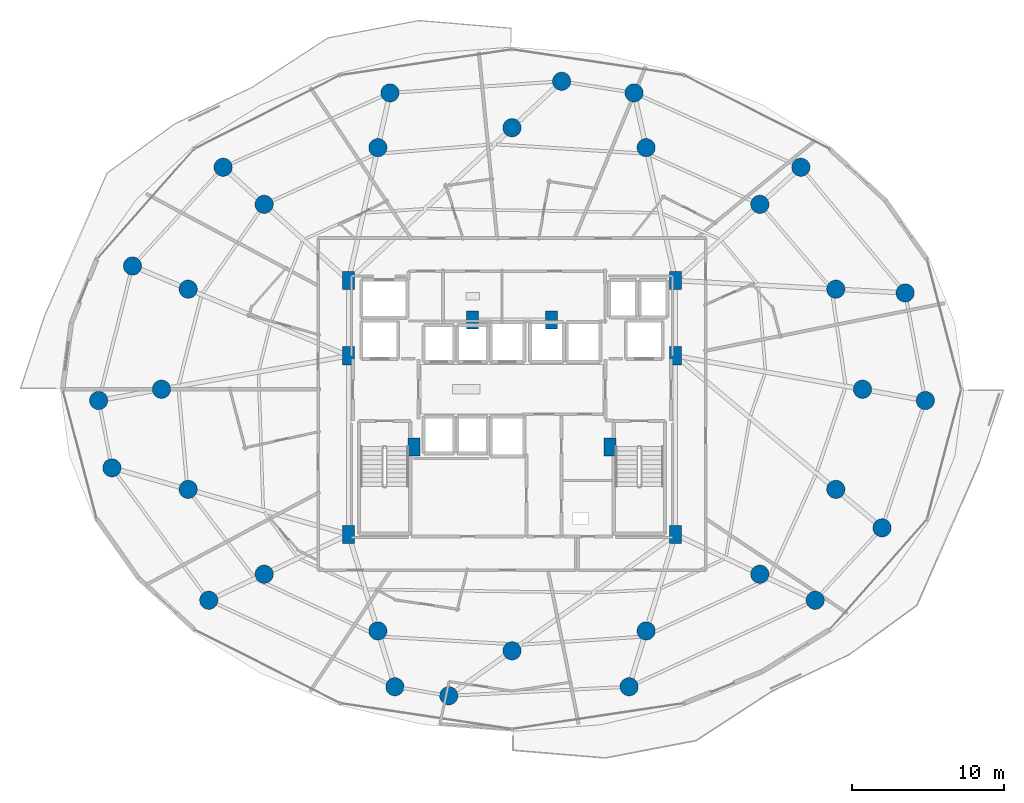
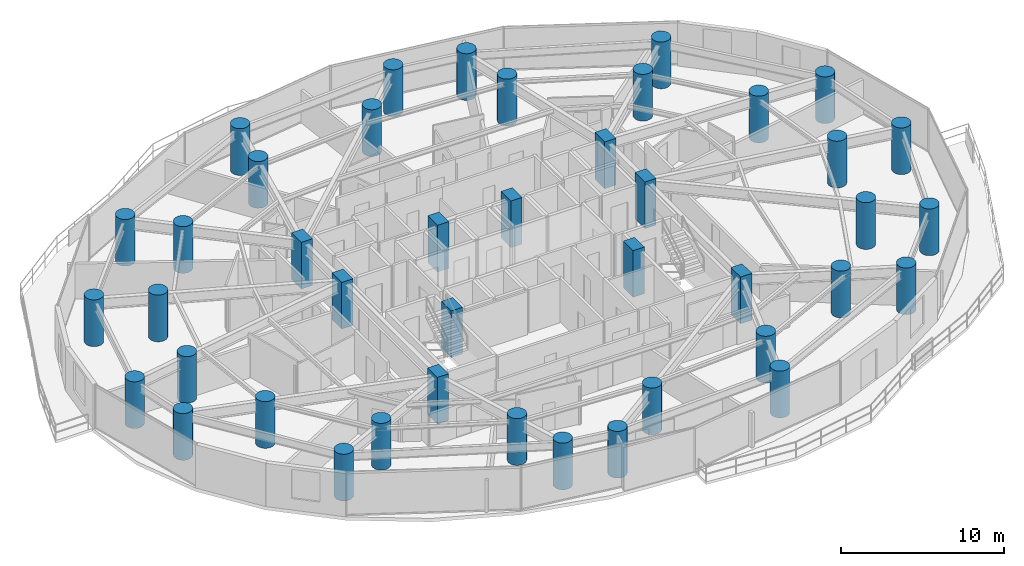
# One storey, part 1 of 34: 42 columns.
"""IFC4 building model written with IfcOpenShell, lengths in metres."""

from ifc_helpers import new_model, si_unit, direction, frame, origin, origin_2d, place, context, subcontext, project, spatial, rectangle, circle, extrude, material, material_profile, profile_set, type_object, element, save


model = new_model("IFC4")

# Units and contexts
model_context = context("Model", 3, precision=1e-05, world=origin(), true_north=direction((0.0, 1.0)))
body_context = subcontext(model_context, "Body", "Model", "MODEL_VIEW")
ifc_project = project(units=[si_unit("LENGTHUNIT", "METRE"), si_unit("AREAUNIT", "SQUARE_METRE"), si_unit("VOLUMEUNIT", "CUBIC_METRE"), si_unit("PLANEANGLEUNIT", "RADIAN"), si_unit("MASSUNIT", "GRAM", prefix="KILO")], contexts=[model_context])

# Site, building, storey
site_placement = place(None, origin())
site = spatial("IfcSite", under=ifc_project, at=site_placement, CompositionType="ELEMENT")
building_placement = place(site_placement, origin())
building = spatial("IfcBuilding", under=site, at=building_placement, Name="Vorneva Point Tower", CompositionType="ELEMENT")
storey_placement = place(building_placement, frame((0.0, 0.0, 62.5)))
storey = spatial("IfcBuildingStorey", under=building, at=storey_placement, Name="L16", CompositionType="ELEMENT", Elevation=62.5)

# Columns
ifc_material = material(Name="Concrete B60 (C50/60)", Category="concrete")
ifc_material_profile_1 = material_profile(ifc_material, circle(Radius=0.60009765625, at=origin_2d()), Name="RC-CIRC 1200")
ifc_profile_set_1 = profile_set([ifc_material_profile_1], Name="Concrete B60 (C50/60)")
column_type_1 = type_object("IfcColumnType", Name="COL-RC1200C", PredefinedType="COLUMN", material=ifc_profile_set_1)
for number, where, z_axis, x_axis, name in (
    (1, (61.050048828125, 26.0, 0.0), (0.0, 0.0, 1.0), (1.0, 0.0, 0.0), "L16 Perimeter Column P01"),
    (2, (59.29541015625, 32.582275390625, 0.0), (0.0, 0.0, 1.0), (0.923879532511, 0.382683432365, 0.0), "L16 Perimeter Column P02"),
    (3, (54.298828125, 38.162109375, 0.0), (0.0, 0.0, 1.0), (0.707106781187, 0.707106781187, 0.0), "L16 Perimeter Column P03"),
    (4, (46.82080078125, 41.890625, 0.0), (0.0, 0.0, 1.0), (0.382683432365, 0.923879532511, 0.0), "L16 Perimeter Column P04"),
    (5, (38.0, 43.199951171875, 0.0), (0.0, 0.0, 1.0), (0.0, 1.0, 0.0), "L16 Perimeter Column P05"),
    (6, (29.17919921875, 41.890625, 0.0), (0.0, 0.0, 1.0), (-0.382683432365, 0.923879532511, 0.0), "L16 Perimeter Column P06"),
    (7, (21.701171875, 38.162109375, 0.0), (0.0, 0.0, 1.0), (-0.707106781187, 0.707106781187, 0.0), "L16 Perimeter Column P07"),
    (8, (16.70458984375, 32.582275390625, 0.0), (0.0, 0.0, 1.0), (-0.923879532511, 0.382683432365, 0.0), "L16 Perimeter Column P08"),
    (9, (14.949951171875, 26.0, 0.0), (0.0, 0.0, 1.0), (-1.0, 0.0, 0.0), "L16 Perimeter Column P09"),
    (10, (16.70458984375, 19.417724609375, 0.0), (0.0, 0.0, 1.0), (-0.923879532511, -0.382683432365, 0.0), "L16 Perimeter Column P10"),
    (11, (21.701171875, 13.837890625, 0.0), (0.0, 0.0, 1.0), (-0.707106781187, -0.707106781187, 0.0), "L16 Perimeter Column P11"),
    (12, (29.17919921875, 10.109375, 0.0), (0.0, 0.0, 1.0), (-0.382683432365, -0.923879532511, 0.0), "L16 Perimeter Column P12"),
    (13, (38.0, 8.800048828125, 0.0), (0.0, 0.0, 1.0), (0.0, -1.0, 0.0), "L16 Perimeter Column P13"),
    (14, (46.82080078125, 10.109375, 0.0), (0.0, 0.0, 1.0), (0.382683432365, -0.923879532511, 0.0), "L16 Perimeter Column P14"),
    (15, (54.298828125, 13.837890625, 0.0), (0.0, 0.0, 1.0), (0.707106781187, -0.707106781187, 0.0), "L16 Perimeter Column P15"),
    (16, (59.29541015625, 19.417724609375, 0.0), (0.0, 0.0, 1.0), (0.923879532511, -0.382683432365, 0.0), "L16 Perimeter Column P16"),
    (17, (65.18212890625, 25.260986328125, 0.0), (0.0, 0.0, 1.0), (1.0, 0.0, 0.0), "L16 Outer Zone Column OP01"),
    (18, (63.8544921875, 32.336669921875, 0.0), (0.0, 0.0, 1.0), (0.923879532511, 0.382683432365, 0.0), "L16 Outer Zone Column OP02"),
    (19, (56.997314453125, 40.599853515625, 0.0), (0.0, 0.0, 1.0), (0.707106781187, 0.707106781187, 0.0), "L16 Outer Zone Column OP03"),
    (20, (46.026123046875, 45.49169921875, 0.0), (0.0, 0.0, 1.0), (0.382683432365, 0.923879532511, 0.0), "L16 Outer Zone Column OP04"),
    (21, (41.26513671875, 46.25244140625, 0.0), (0.0, 0.0, 1.0), (0.0, 1.0, 0.0), "L16 Outer Zone Column OP05"),
    (22, (29.973876953125, 45.49169921875, 0.0), (0.0, 0.0, 1.0), (-0.382683432365, 0.923879532511, 0.0), "L16 Outer Zone Column OP06"),
    (23, (19.002685546875, 40.599853515625, 0.0), (0.0, 0.0, 1.0), (-0.707106781187, 0.707106781187, 0.0), "L16 Outer Zone Column OP07"),
    (24, (13.0390625, 34.10546875, 0.0), (0.0, 0.0, 1.0), (-0.923879532511, 0.382683432365, 0.0), "L16 Outer Zone Column OP08"),
    (25, (10.81787109375, 25.260986328125, 0.0), (0.0, 0.0, 1.0), (-1.0, 0.0, 0.0), "L16 Outer Zone Column OP09"),
    (26, (11.68798828125, 20.82958984375, 0.0), (0.0, 0.0, 1.0), (-0.923879532511, -0.382683432365, 0.0), "L16 Outer Zone Column OP10"),
    (27, (18.061279296875, 12.124267578125, 0.0), (0.0, 0.0, 1.0), (-0.707106781187, -0.707106781187, 0.0), "L16 Outer Zone Column OP11"),
    (28, (30.296875, 6.435302734375, 0.0), (0.0, 0.0, 1.0), (-0.382683432365, -0.923879532511, 0.0), "L16 Outer Zone Column OP12"),
    (29, (33.84033203125, 5.83984375, 0.0), (0.0, 0.0, 1.0), (0.0, -1.0, 0.0), "L16 Outer Zone Column OP13"),
    (30, (45.703125, 6.435302734375, 0.0), (0.0, 0.0, 1.0), (0.382683432365, -0.923879532511, 0.0), "L16 Outer Zone Column OP14"),
    (31, (57.938720703125, 12.124267578125, 0.0), (0.0, 0.0, 1.0), (0.707106781187, -0.707106781187, 0.0), "L16 Outer Zone Column OP15"),
    (32, (62.3349609375, 16.886474609375, 0.0), (0.0, 0.0, 1.0), (0.923879532511, -0.382683432365, 0.0), "L16 Outer Zone Column OP16"),
):
    element("IfcColumn", number, at=place(storey_placement, frame(where, z_axis=z_axis, x_axis=x_axis)), inside=storey, type_object=column_type_1, Name=name, PredefinedType="COLUMN", context=body_context, shape_type="SweptSolid", body=[
        extrude(circle(Radius=0.60009765625, at=origin_2d()), origin(), (0.0, 0.0, 1.0), 3.5),
    ])
ifc_material_profile_2 = material_profile(ifc_material, rectangle(XDim=0.800048828125, YDim=1.199951171875, at=origin_2d()), Name="RC-PIL 1200x800")
ifc_profile_set_2 = profile_set([ifc_material_profile_2], Name="Concrete B60 (C50/60)")
column_type_2 = type_object("IfcColumnType", Name="PIL-RC1200x800", PredefinedType="PILASTER", material=ifc_profile_set_2)
for number, where, z_axis, x_axis, name in (
    (33, (27.25, 16.449951171875, 0.0), (0.0, 0.0, 1.0), (1.0, 0.0, 0.0), "L16 Core Pilaster CP1"),
    (34, (27.25, 28.199951171875, 0.0), (0.0, 0.0, 1.0), (1.0, 0.0, 0.0), "L16 Core Pilaster CP2"),
    (35, (27.25, 33.14990234375, 0.0), (0.0, 0.0, 1.0), (1.0, 0.0, 0.0), "L16 Core Pilaster CP3"),
    (36, (31.550048828125, 22.199951171875, 0.0), (0.0, 0.0, 1.0), (1.0, 0.0, 0.0), "L16 Core Pilaster CP4"),
    (37, (48.75, 33.14990234375, 0.0), (0.0, 0.0, 1.0), (1.0, 0.0, 0.0), "L16 Core Pilaster CP5"),
    (38, (48.75, 28.199951171875, 0.0), (0.0, 0.0, 1.0), (1.0, 0.0, 0.0), "L16 Core Pilaster CP6"),
    (39, (48.75, 16.449951171875, 0.0), (0.0, 0.0, 1.0), (1.0, 0.0, 0.0), "L16 Core Pilaster CP7"),
    (40, (44.449951171875, 22.199951171875, 0.0), (0.0, 0.0, 1.0), (1.0, 0.0, 0.0), "L16 Core Pilaster CP8"),
    (41, (35.39990234375, 30.550048828125, 0.0), (0.0, 0.0, 1.0), (1.0, 0.0, 0.0), "L16 Core Pilaster CP9"),
    (42, (40.60009765625, 30.550048828125, 0.0), (0.0, 0.0, 1.0), (1.0, 0.0, 0.0), "L16 Core Pilaster CP10"),
):
    element("IfcColumn", number, at=place(storey_placement, frame(where, z_axis=z_axis, x_axis=x_axis)), inside=storey, type_object=column_type_2, Name=name, PredefinedType="PILASTER", context=body_context, shape_type="SweptSolid", body=[
        extrude(rectangle(XDim=0.800048828125, YDim=1.199951171875, at=origin_2d()), origin(), (0.0, 0.0, 1.0), 3.5),
    ])

save(model, "model.ifc")
